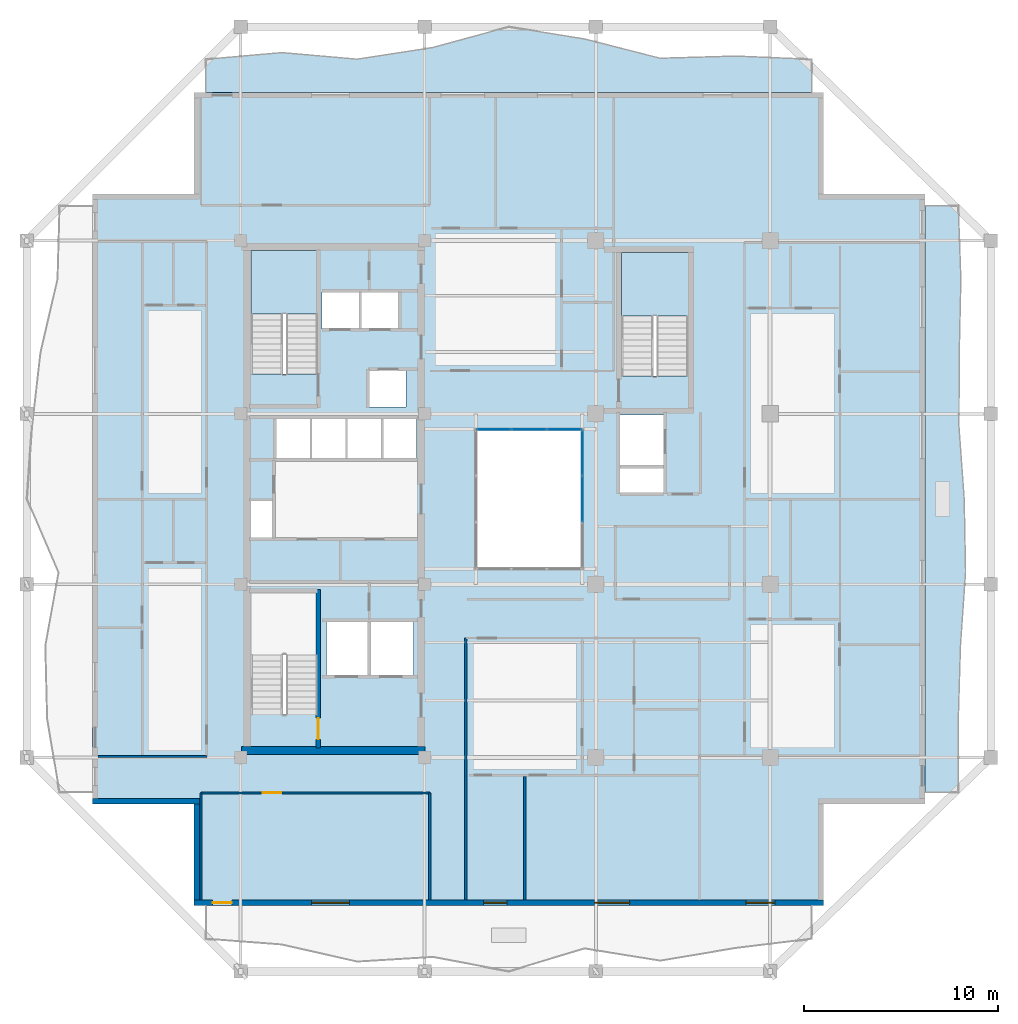
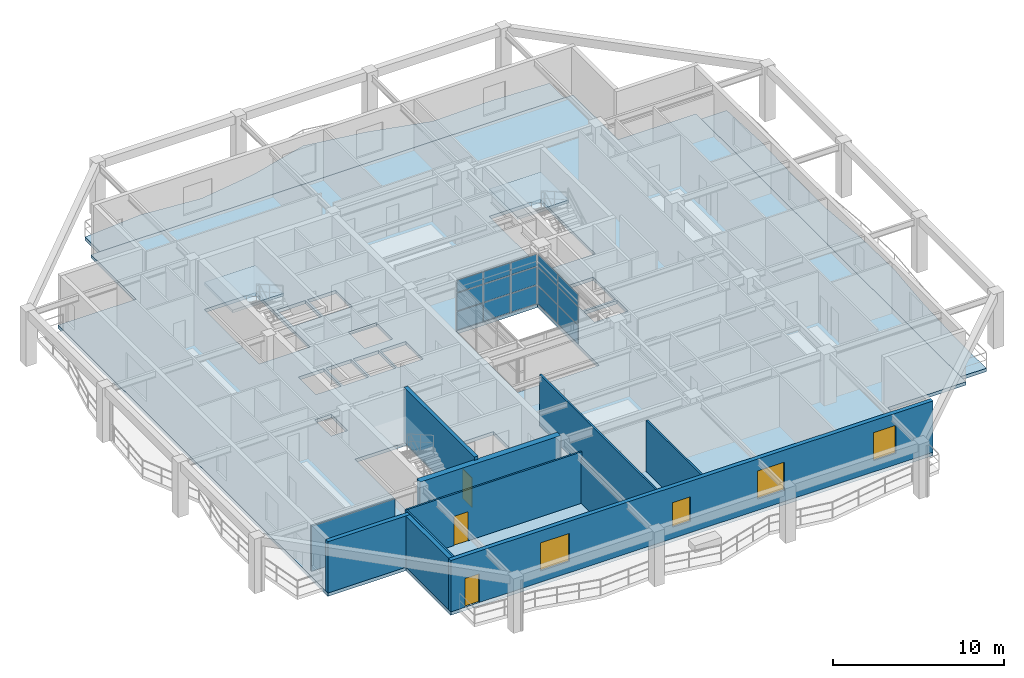
# One storey, part 5 of 15: 15 plates, 11 walls, 5 slabs, 4 windows, 3 doors, 7 openings, 4 elements without a shape of their own.
"""IFC4 building model written with IfcOpenShell, lengths in metres."""

from ifc_helpers import new_model, si_unit, direction, frame, frame_2d, origin, origin_2d, place, context, subcontext, project, spatial, polyline, rectangle, outline, extrude, material, layer, layer_set, type_object, element, fill, aggregate, save


model = new_model("IFC4")

# Units and contexts
model_context = context("Model", 3, precision=1e-05, world=origin(), true_north=direction((0.0, 1.0)))
body_context = subcontext(model_context, "Body", "Model", "MODEL_VIEW")
ifc_project = project(units=[si_unit("LENGTHUNIT", "METRE"), si_unit("AREAUNIT", "SQUARE_METRE"), si_unit("VOLUMEUNIT", "CUBIC_METRE"), si_unit("PLANEANGLEUNIT", "RADIAN"), si_unit("MASSUNIT", "GRAM", prefix="KILO")], contexts=[model_context])

# Site, building, storey
site_placement = place(None, origin())
site = spatial("IfcSite", under=ifc_project, at=site_placement, CompositionType="ELEMENT")
building_placement = place(site_placement, origin())
building = spatial("IfcBuilding", under=site, at=building_placement, Name="Kundavana Baori Tower", CompositionType="ELEMENT")
storey_placement = place(building_placement, frame((0.0, 0.0, 214.10009765625)))
storey = spatial("IfcBuildingStorey", under=building, at=storey_placement, Name="L52", CompositionType="ELEMENT", Elevation=214.10009765625)

# Curtain wall, plates
ifc_material_1 = material(Name="Thermally Broken Anodised Aluminium Framing", Category="aluminium")
ifc_layer_1 = layer(ifc_material_1, 0.219970703125, Name="CW-SYS-5")
ifc_layer_set_1 = layer_set([ifc_layer_1], Name="Thermally Broken Anodised Aluminium Framing")
curtain_wall_type = type_object("IfcCurtainWallType", Name="CW-SYS-5", PredefinedType="NOTDEFINED", material=ifc_layer_set_1)
curtain_wall_1_placement = place(storey_placement, origin())
curtain_wall_1 = element("IfcCurtainWall", 1, at=curtain_wall_1_placement, inside=storey, type_object=curtain_wall_type, Name="L52 Atrium Glazed Curtain Wall E", PredefinedType="NOTDEFINED")
ifc_material_2 = material(Name="Double-Glazed Solar-Control Low-E Insulated Glass", Category="glass")
ifc_layer_2 = layer(ifc_material_2, 0.028076171875, Name="CW-PNL-GLS28")
ifc_layer_set_2 = layer_set([ifc_layer_2], Name="Double-Glazed Solar-Control Low-E Insulated Glass")
plate_type = type_object("IfcPlateType", Name="CW-PNL-GLS28", PredefinedType="CURTAIN_PANEL", material=ifc_layer_set_2)
plate_1_placement = place(storey_placement, frame((33.10009765625, 28.60009765625, 0.06494140625), z_axis=(0.0, 0.0, 1.0), x_axis=(0.0, 1.0, 0.0)))
plate_1 = element("IfcPlate", 2, at=plate_1_placement, type_object=plate_type, Name="CW5 panel 2.1", PredefinedType="CURTAIN_PANEL", context=body_context, shape_type="SweptSolid", body=[
    extrude(rectangle(XDim=2.3349609375, YDim=0.028076171875, at=origin_2d()), origin(), (0.0, 0.0, 1.0), 1.293212890625),
])
plate_2_placement = place(storey_placement, frame((33.10009765625, 28.60009765625, 1.42333984375), z_axis=(0.0, 0.0, 1.0), x_axis=(0.0, 1.0, 0.0)))
plate_2 = element("IfcPlate", 3, at=plate_2_placement, type_object=plate_type, Name="CW5 panel 2.2", PredefinedType="CURTAIN_PANEL", context=body_context, shape_type="SweptSolid", body=[
    extrude(rectangle(XDim=2.3349609375, YDim=0.028076171875, at=origin_2d()), origin(), (0.0, 0.0, 1.0), 1.252685546875),
])
plate_3_placement = place(storey_placement, frame((33.10009765625, 28.60009765625, 2.740966796875), z_axis=(0.0, 0.0, 1.0), x_axis=(0.0, 1.0, 0.0)))
plate_3 = element("IfcPlate", 4, at=plate_3_placement, type_object=plate_type, Name="CW5 panel 2.3", PredefinedType="CURTAIN_PANEL", context=body_context, shape_type="SweptSolid", body=[
    extrude(rectangle(XDim=2.3349609375, YDim=0.028076171875, at=origin_2d()), origin(), (0.0, 0.0, 1.0), 0.85400390625),
])
plate_4_placement = place(storey_placement, frame((33.10009765625, 30.983642578125, 0.06494140625), z_axis=(0.0, 0.0, 1.0), x_axis=(0.0, 1.0, 0.0)))
plate_4 = element("IfcPlate", 5, at=plate_4_placement, type_object=plate_type, Name="CW5 panel 3.1", PredefinedType="CURTAIN_PANEL", context=body_context, shape_type="SweptSolid", body=[
    extrude(rectangle(XDim=2.302490234375, YDim=0.028076171875, at=origin_2d()), origin(), (0.0, 0.0, 1.0), 1.293212890625),
])
plate_5_placement = place(storey_placement, frame((33.10009765625, 30.983642578125, 1.42333984375), z_axis=(0.0, 0.0, 1.0), x_axis=(0.0, 1.0, 0.0)))
plate_5 = element("IfcPlate", 6, at=plate_5_placement, type_object=plate_type, Name="CW5 panel 3.2", PredefinedType="CURTAIN_PANEL", context=body_context, shape_type="SweptSolid", body=[
    extrude(rectangle(XDim=2.302490234375, YDim=0.028076171875, at=origin_2d()), origin(), (0.0, 0.0, 1.0), 1.252685546875),
])
plate_6_placement = place(storey_placement, frame((33.10009765625, 30.983642578125, 2.740966796875), z_axis=(0.0, 0.0, 1.0), x_axis=(0.0, 1.0, 0.0)))
plate_6 = element("IfcPlate", 7, at=plate_6_placement, type_object=plate_type, Name="CW5 panel 3.3", PredefinedType="CURTAIN_PANEL", context=body_context, shape_type="SweptSolid", body=[
    extrude(rectangle(XDim=2.302490234375, YDim=0.028076171875, at=origin_2d()), origin(), (0.0, 0.0, 1.0), 0.85400390625),
])
aggregate(curtain_wall_1, [plate_1, plate_2, plate_3, plate_4, plate_5, plate_6])

curtain_wall_2_placement = place(storey_placement, origin())
curtain_wall_2 = element("IfcCurtainWall", 8, at=curtain_wall_2_placement, inside=storey, type_object=curtain_wall_type, Name="L52 Atrium Glazed Curtain Wall N", PredefinedType="NOTDEFINED")
plate_7_placement = place(storey_placement, frame((32.1669921875, 32.199951171875, 0.06494140625), z_axis=(0.0, 0.0, 1.0), x_axis=(-1.0, 0.0, 0.0)))
plate_7 = element("IfcPlate", 9, at=plate_7_placement, type_object=plate_type, Name="CW5 panel 1.1", PredefinedType="CURTAIN_PANEL", context=body_context, shape_type="SweptSolid", body=[
    extrude(rectangle(XDim=1.73583984375, YDim=0.028076171875, at=origin_2d()), origin(), (0.0, 0.0, 1.0), 1.293212890625),
])
plate_8_placement = place(storey_placement, frame((32.1669921875, 32.199951171875, 1.42333984375), z_axis=(0.0, 0.0, 1.0), x_axis=(-1.0, 0.0, 0.0)))
plate_8 = element("IfcPlate", 10, at=plate_8_placement, type_object=plate_type, Name="CW5 panel 1.2", PredefinedType="CURTAIN_PANEL", context=body_context, shape_type="SweptSolid", body=[
    extrude(rectangle(XDim=1.73583984375, YDim=0.028076171875, at=origin_2d()), origin(), (0.0, 0.0, 1.0), 1.252685546875),
])
plate_9_placement = place(storey_placement, frame((32.1669921875, 32.199951171875, 2.740966796875), z_axis=(0.0, 0.0, 1.0), x_axis=(-1.0, 0.0, 0.0)))
plate_9 = element("IfcPlate", 11, at=plate_9_placement, type_object=plate_type, Name="CW5 panel 1.3", PredefinedType="CURTAIN_PANEL", context=body_context, shape_type="SweptSolid", body=[
    extrude(rectangle(XDim=1.73583984375, YDim=0.028076171875, at=origin_2d()), origin(), (0.0, 0.0, 1.0), 0.85400390625),
])
plate_10_placement = place(storey_placement, frame((30.35009765625, 32.199951171875, 0.06494140625), z_axis=(0.0, 0.0, 1.0), x_axis=(-1.0, 0.0, 0.0)))
plate_10 = element("IfcPlate", 12, at=plate_10_placement, type_object=plate_type, Name="CW5 panel 2.1", PredefinedType="CURTAIN_PANEL", context=body_context, shape_type="SweptSolid", body=[
    extrude(rectangle(XDim=1.768310546875, YDim=0.028076171875, at=origin_2d()), origin(), (0.0, 0.0, 1.0), 1.293212890625),
])
plate_11_placement = place(storey_placement, frame((30.35009765625, 32.199951171875, 1.42333984375), z_axis=(0.0, 0.0, 1.0), x_axis=(-1.0, 0.0, 0.0)))
plate_11 = element("IfcPlate", 13, at=plate_11_placement, type_object=plate_type, Name="CW5 panel 2.2", PredefinedType="CURTAIN_PANEL", context=body_context, shape_type="SweptSolid", body=[
    extrude(rectangle(XDim=1.768310546875, YDim=0.028076171875, at=origin_2d()), origin(), (0.0, 0.0, 1.0), 1.252685546875),
])
plate_12_placement = place(storey_placement, frame((30.35009765625, 32.199951171875, 2.740966796875), z_axis=(0.0, 0.0, 1.0), x_axis=(-1.0, 0.0, 0.0)))
plate_12 = element("IfcPlate", 14, at=plate_12_placement, type_object=plate_type, Name="CW5 panel 2.3", PredefinedType="CURTAIN_PANEL", context=body_context, shape_type="SweptSolid", body=[
    extrude(rectangle(XDim=1.768310546875, YDim=0.028076171875, at=origin_2d()), origin(), (0.0, 0.0, 1.0), 0.85400390625),
])
plate_13_placement = place(storey_placement, frame((28.532958984375, 32.199951171875, 0.06494140625), z_axis=(0.0, 0.0, 1.0), x_axis=(-1.0, 0.0, 0.0)))
plate_13 = element("IfcPlate", 15, at=plate_13_placement, type_object=plate_type, Name="CW5 panel 3.1", PredefinedType="CURTAIN_PANEL", context=body_context, shape_type="SweptSolid", body=[
    extrude(rectangle(XDim=1.73583984375, YDim=0.028076171875, at=origin_2d()), origin(), (0.0, 0.0, 1.0), 1.293212890625),
])
plate_14_placement = place(storey_placement, frame((28.532958984375, 32.199951171875, 1.42333984375), z_axis=(0.0, 0.0, 1.0), x_axis=(-1.0, 0.0, 0.0)))
plate_14 = element("IfcPlate", 16, at=plate_14_placement, type_object=plate_type, Name="CW5 panel 3.2", PredefinedType="CURTAIN_PANEL", context=body_context, shape_type="SweptSolid", body=[
    extrude(rectangle(XDim=1.73583984375, YDim=0.028076171875, at=origin_2d()), origin(), (0.0, 0.0, 1.0), 1.252685546875),
])
plate_15_placement = place(storey_placement, frame((28.532958984375, 32.199951171875, 2.740966796875), z_axis=(0.0, 0.0, 1.0), x_axis=(-1.0, 0.0, 0.0)))
plate_15 = element("IfcPlate", 17, at=plate_15_placement, type_object=plate_type, Name="CW5 panel 3.3", PredefinedType="CURTAIN_PANEL", context=body_context, shape_type="SweptSolid", body=[
    extrude(rectangle(XDim=1.73583984375, YDim=0.028076171875, at=origin_2d()), origin(), (0.0, 0.0, 1.0), 0.85400390625),
])
aggregate(curtain_wall_2, [plate_7, plate_8, plate_9, plate_10, plate_11, plate_12, plate_13, plate_14, plate_15])

# Slab
ifc_material_3 = material(Name="Concrete C40/50", Category="concrete")
ifc_layer_3 = layer(ifc_material_3, 0.239990234375, Name="SLB-FLR-240")
ifc_layer_set_3 = layer_set([ifc_layer_3], Name="Concrete C40/50")
slab_type_1 = type_object("IfcSlabType", Name="SLB-FLR-240", PredefinedType="FLOOR", material=ifc_layer_set_3)
slab_1_placement = place(storey_placement, frame((0.0, 0.0, -0.239990234375)))
element("IfcSlab", 18, at=slab_1_placement, inside=storey, type_object=slab_type_1, Name="L52 Structural Floor Slab", PredefinedType="FLOOR", context=body_context, shape_type="SweptSolid", body=[
    extrude(outline(polyline([(13.050048828125, 7.60009765625), (45.550048828125, 7.60009765625), (45.550048828125, 12.85009765625), (50.800048828125, 12.85009765625), (50.800048828125, 44.35009765625), (45.550048828125, 44.35009765625), (45.550048828125, 49.60009765625), (13.050048828125, 49.60009765625), (13.050048828125, 44.35009765625), (7.800048828125, 44.35009765625), (7.800048828125, 12.85009765625), (13.050048828125, 12.85009765625), (13.050048828125, 7.60009765625)]), holes=[polyline([(19.43994140625, 17.4619140625), (19.43994140625, 23.85009765625), (15.97998046875, 23.85009765625), (15.97998046875, 17.4619140625), (19.43994140625, 17.4619140625)]), polyline([(19.43994140625, 35.06201171875), (19.43994140625, 41.449951171875), (15.97998046875, 41.449951171875), (15.97998046875, 35.06201171875), (19.43994140625, 35.06201171875)]), polyline([(38.580078125, 34.9619140625), (38.580078125, 41.35009765625), (35.1201171875, 41.35009765625), (35.1201171875, 34.9619140625), (38.580078125, 34.9619140625)]), polyline([(17.300048828125, 30.699951171875), (19.02001953125, 30.699951171875), (19.02001953125, 32.75), (17.300048828125, 32.75), (17.300048828125, 30.699951171875)]), polyline([(19.139892578125, 30.699951171875), (20.860107421875, 30.699951171875), (20.860107421875, 32.75), (19.139892578125, 32.75), (19.139892578125, 30.699951171875)]), polyline([(20.97998046875, 30.699951171875), (22.699951171875, 30.699951171875), (22.699951171875, 32.75), (20.97998046875, 32.75), (20.97998046875, 30.699951171875)]), polyline([(22.820068359375, 30.699951171875), (24.5400390625, 30.699951171875), (24.5400390625, 32.75), (22.820068359375, 32.75), (22.820068359375, 30.699951171875)]), polyline([(19.64990234375, 37.39990234375), (21.550048828125, 37.39990234375), (21.550048828125, 39.300048828125), (19.64990234375, 39.300048828125), (19.64990234375, 37.39990234375)]), polyline([(21.699951171875, 37.39990234375), (23.60009765625, 37.39990234375), (23.60009765625, 39.300048828125), (21.699951171875, 39.300048828125), (21.699951171875, 37.39990234375)]), polyline([(22.10009765625, 33.35009765625), (24.0, 33.35009765625), (24.0, 35.25), (22.10009765625, 35.25), (22.10009765625, 33.35009765625)]), polyline([(19.8798828125, 19.5), (22.02001953125, 19.5), (22.02001953125, 22.25), (19.8798828125, 22.25), (19.8798828125, 19.5)]), polyline([(22.179931640625, 19.5), (24.3798828125, 19.5), (24.3798828125, 22.25), (22.179931640625, 22.25), (22.179931640625, 19.5)]), polyline([(35.050048828125, 30.35009765625), (37.300048828125, 30.35009765625), (37.300048828125, 32.949951171875), (35.050048828125, 32.949951171875), (35.050048828125, 30.35009765625)]), polyline([(15.949951171875, 26.60009765625), (17.080078125, 26.60009765625), (17.080078125, 28.5), (15.949951171875, 28.5), (15.949951171875, 26.60009765625)]), polyline([(35.050048828125, 28.949951171875), (37.300048828125, 28.949951171875), (37.300048828125, 30.199951171875), (35.050048828125, 30.199951171875), (35.050048828125, 28.949951171875)]), polyline([(27.60009765625, 25.0), (33.10009765625, 25.0), (33.10009765625, 32.199951171875), (27.60009765625, 32.199951171875), (27.60009765625, 25.0)])]), origin(), (0.0, 0.0, 1.0), 0.239990234375),
])

# Stair, slab
ifc_material_4 = material(Name="Concrete C40/50", Category="concrete")
stair_type = type_object("IfcStairType", Name="STR-DOG-1650", PredefinedType="HALF_TURN_STAIR", material=ifc_material_4)
stair_1_placement = place(storey_placement, origin())
stair_1 = element("IfcStair", 19, at=stair_1_placement, inside=storey, type_object=stair_type, Name="L52 Protected Exit Stair ST2", PredefinedType="HALF_TURN_STAIR")
ifc_material_5 = material(Name="Concrete C40/50", Category="concrete")
ifc_layer_4 = layer(ifc_material_5, 0.199951171875, Name="SLB-LND-200")
ifc_layer_set_4 = layer_set([ifc_layer_4], Name="Concrete C40/50")
slab_type_2 = type_object("IfcSlabType", Name="SLB-LND-200", PredefinedType="LANDING", material=ifc_layer_set_4)
slab_2_placement = place(storey_placement, frame((0.0, 0.0, 1.75)))
slab_2 = element("IfcSlab", 20, at=slab_2_placement, type_object=slab_type_2, Name="ST2 landing 1", PredefinedType="LANDING", context=body_context, shape_type="SweptSolid", body=[
    extrude(outline(polyline([(19.43994140625, 38.14990234375), (19.43994140625, 41.449951171875), (15.97998046875, 41.449951171875), (15.97998046875, 38.14990234375), (19.43994140625, 38.14990234375)])), origin(), (0.0, 0.0, 1.0), 0.199951171875),
])
aggregate(stair_1, [slab_2])

stair_2_placement = place(storey_placement, origin())
stair_2 = element("IfcStair", 21, at=stair_2_placement, inside=storey, type_object=stair_type, Name="L52 Protected Exit Stair ST3", PredefinedType="HALF_TURN_STAIR")
slab_3_placement = place(storey_placement, frame((0.0, 0.0, 1.75)))
slab_3 = element("IfcSlab", 22, at=slab_3_placement, type_object=slab_type_2, Name="ST3 landing 1", PredefinedType="LANDING", context=body_context, shape_type="SweptSolid", body=[
    extrude(outline(polyline([(38.580078125, 38.050048828125), (38.580078125, 41.35009765625), (35.1201171875, 41.35009765625), (35.1201171875, 38.050048828125), (38.580078125, 38.050048828125)])), origin(), (0.0, 0.0, 1.0), 0.199951171875),
])
aggregate(stair_2, [slab_3])

# Slabs
ifc_material_6 = material(Name="Concrete C40/50", Category="concrete")
ifc_layer_5 = layer(ifc_material_6, 0.239990234375, Name="SLB-LOG-240")
ifc_layer_set_5 = layer_set([ifc_layer_5], Name="Concrete C40/50")
slab_type_3 = type_object("IfcSlabType", Name="SLB-LOG-240", PredefinedType="FLOOR", material=ifc_layer_set_5)
slab_4_placement = place(storey_placement, frame((0.0, 0.0, -0.239990234375)))
element("IfcSlab", 23, at=slab_4_placement, inside=storey, type_object=slab_type_3, Name="L52 Planted Loggia Balcony Slab E", PredefinedType="FLOOR", context=body_context, shape_type="SweptSolid", body=[
    extrude(outline(polyline([(50.800048828125, 13.449951171875), (50.800048828125, 43.75), (52.52001953125, 43.75), (52.654052734375, 39.9619140625), (52.571044921875, 36.175048828125), (52.553955078125, 32.387939453125), (52.826904296875, 28.60009765625), (52.89599609375, 24.81201171875), (52.633056640625, 21.02490234375), (52.52099609375, 17.238037109375), (52.52001953125, 13.449951171875), (50.800048828125, 13.449951171875)])), origin(), (0.0, 0.0, 1.0), 0.239990234375),
])
slab_5_placement = place(storey_placement, frame((0.0, 0.0, -0.239990234375)))
element("IfcSlab", 24, at=slab_5_placement, inside=storey, type_object=slab_type_3, Name="L52 Planted Loggia Balcony Slab N", PredefinedType="FLOOR", context=body_context, shape_type="SweptSolid", body=[
    extrude(outline(polyline([(44.949951171875, 49.60009765625), (13.64990234375, 49.60009765625), (13.64990234375, 51.320068359375), (17.56201171875, 51.6650390625), (21.47509765625, 51.325927734375), (25.387939453125, 51.929931640625), (29.300048828125, 53.0), (33.212890625, 52.368896484375), (37.125, 51.3740234375), (41.0380859375, 51.487060546875), (44.949951171875, 51.320068359375), (44.949951171875, 49.60009765625)])), origin(), (0.0, 0.0, 1.0), 0.239990234375),
])

# Wall
ifc_material_7 = material(Name="Concrete C50/60", Category="concrete")
ifc_layer_6 = layer(ifc_material_7, 0.39990234375, Name="WL-CORE-400")
ifc_layer_set_6 = layer_set([ifc_layer_6], Name="Concrete C50/60")
wall_type_1 = type_object("IfcWallType", Name="WL-CORE-400", PredefinedType="SHEAR", material=ifc_layer_set_6)
wall_1_placement = place(storey_placement, frame((15.5, 15.610107421875, 0.0), z_axis=(0.0, 0.0, 1.0), x_axis=(1.0, 0.0, 0.0)))
element("IfcWall", 25, at=wall_1_placement, inside=storey, type_object=wall_type_1, Name="L52 Offset Core South Shear Wall", PredefinedType="SHEAR", context=body_context, shape_type="SweptSolid", body=[
    extrude(rectangle(XDim=9.47998046875, YDim=0.39990234375, at=frame_2d((4.739990234375, 0.0))), origin(), (0.0, 0.0, 1.0), 3.659912109375),
])

# Wall, opening, door
wall_2_placement = place(storey_placement, frame((19.4599609375, 15.739990234375, 0.0), z_axis=(0.0, 0.0, 1.0), x_axis=(0.0, 1.0, 0.0)))
wall_2 = element("IfcWall", 26, at=wall_2_placement, inside=storey, type_object=wall_type_1, Name="WL-L52-ST1-E", PredefinedType="SHEAR", context=body_context, shape_type="SweptSolid", body=[
    extrude(rectangle(XDim=8.199951171875, YDim=0.239990234375, at=frame_2d((4.10009765625, 0.0))), origin(), (0.0, 0.0, 1.0), 3.89990234375),
])
opening_1_placement = place(wall_2_placement, frame((0.449951171875, 0.0, 0.0)))
opening_1 = element("IfcOpeningElement", 27, at=opening_1_placement, cuts=wall_2, Name="Opening FD-110", PredefinedType="OPENING", context=body_context, shape_type="SweptSolid", body=[
    extrude(rectangle(XDim=1.10009765625, YDim=2.10009765625, at=frame_2d((0.550048828125, 1.050048828125))), frame((0.0, 0.1298828125, 0.0), z_axis=(0.0, -1.0, 0.0), x_axis=(1.0, 0.0, 0.0)), (0.0, 0.0, 1.0), 0.260009765625),
])
ifc_material_8 = material(Name="Galvanised Steel Fire-Rated Door Leaf", Category="steel")
door_type_1 = type_object("IfcDoorType", Name="DR-FD120-1100", OperationType="NOTDEFINED", PredefinedType="DOOR", material=ifc_material_8)
door_1_placement = place(opening_1_placement, origin())
door_1 = element("IfcDoor", 28, at=door_1_placement, inside=storey, type_object=door_type_1, Name="DR-L52-ST1", OperationType="SINGLE_SWING_LEFT", OverallHeight=2.10009765625, OverallWidth=1.10009765625, PredefinedType="DOOR", context=body_context, shape_type="SweptSolid", body=[
    extrude(rectangle(XDim=1.10009765625, YDim=2.10009765625, at=frame_2d((0.550048828125, 1.050048828125))), frame((0.0, 0.02490234375, 0.0), z_axis=(0.0, -1.0, 0.0), x_axis=(1.0, 0.0, 0.0)), (0.0, 0.0, 1.0), 0.050048828125),
])
fill(opening_1, door_1)

# Wall, openings, door, windows
ifc_material_9 = material(Name="Red-Buff Dholpur Sandstone Cladding on Concrete C40/50", Category="masonry")
ifc_layer_7 = layer(ifc_material_9, 0.280029296875, Name="WL-EXT-SAND-280")
ifc_layer_set_7 = layer_set([ifc_layer_7], Name="Red-Buff Dholpur Sandstone Cladding on Concrete C40/50")
wall_type_2 = type_object("IfcWallType", Name="WL-EXT-SAND-280", PredefinedType="STANDARD", material=ifc_layer_set_7)
wall_3_placement = place(storey_placement, frame((13.050048828125, 7.739990234375, 0.0), z_axis=(0.0, 0.0, 1.0), x_axis=(1.0, 0.0, 0.0)))
wall_3 = element("IfcWall", 29, at=wall_3_placement, inside=storey, type_object=wall_type_2, Name="L52 Exterior Insulated Facade Wall 01", PredefinedType="STANDARD", context=body_context, shape_type="SweptSolid", body=[
    extrude(rectangle(XDim=32.5, YDim=0.280029296875, at=frame_2d((16.25, 0.0))), origin(), (0.0, 0.0, 1.0), 3.659912109375),
])
opening_2_placement = place(wall_3_placement, frame((0.949951171875, 0.0, 0.0)))
opening_2 = element("IfcOpeningElement", 30, at=opening_2_placement, cuts=wall_3, Name="Opening BD-1", PredefinedType="OPENING", context=body_context, shape_type="SweptSolid", body=[
    extrude(rectangle(XDim=1.0, YDim=2.050048828125, at=frame_2d((0.5, 1.02490234375))), frame((0.0, 0.14990234375, 0.0), z_axis=(0.0, -1.0, 0.0), x_axis=(1.0, 0.0, 0.0)), (0.0, 0.0, 1.0), 0.300048828125),
])
opening_3_placement = place(wall_3_placement, frame((6.06005859375, 0.0, 0.800048828125)))
opening_3 = element("IfcOpeningElement", 31, at=opening_3_placement, cuts=wall_3, Name="Opening W-09", PredefinedType="OPENING", context=body_context, shape_type="SweptSolid", body=[
    extrude(rectangle(XDim=1.949951171875, YDim=2.0, at=frame_2d((0.97509765625, 1.0))), frame((0.0, 0.14990234375, 0.0), z_axis=(0.0, -1.0, 0.0), x_axis=(1.0, 0.0, 0.0)), (0.0, 0.0, 1.0), 0.300048828125),
])
opening_4_placement = place(wall_3_placement, frame((14.951904296875, 0.0, 0.800048828125)))
opening_4 = element("IfcOpeningElement", 32, at=opening_4_placement, cuts=wall_3, Name="Opening W-03", PredefinedType="OPENING", context=body_context, shape_type="SweptSolid", body=[
    extrude(rectangle(XDim=1.199951171875, YDim=1.75, at=frame_2d((0.60009765625, 0.875))), frame((0.0, 0.14990234375, 0.0), z_axis=(0.0, -1.0, 0.0), x_axis=(1.0, 0.0, 0.0)), (0.0, 0.0, 1.0), 0.300048828125),
])
opening_5_placement = place(wall_3_placement, frame((20.68798828125, 0.0, 0.800048828125)))
opening_5 = element("IfcOpeningElement", 33, at=opening_5_placement, cuts=wall_3, Name="Opening W-01", PredefinedType="OPENING", context=body_context, shape_type="SweptSolid", body=[
    extrude(rectangle(XDim=1.800048828125, YDim=2.0, at=frame_2d((0.89990234375, 1.0))), frame((0.0, 0.14990234375, 0.0), z_axis=(0.0, -1.0, 0.0), x_axis=(1.0, 0.0, 0.0)), (0.0, 0.0, 1.0), 0.300048828125),
])
opening_6_placement = place(wall_3_placement, frame((28.4951171875, 0.0, 0.800048828125)))
opening_6 = element("IfcOpeningElement", 34, at=opening_6_placement, cuts=wall_3, Name="Opening W-02", PredefinedType="OPENING", context=body_context, shape_type="SweptSolid", body=[
    extrude(rectangle(XDim=1.5, YDim=2.0, at=frame_2d((0.75, 1.0))), frame((0.0, 0.14990234375, 0.0), z_axis=(0.0, -1.0, 0.0), x_axis=(1.0, 0.0, 0.0)), (0.0, 0.0, 1.0), 0.300048828125),
])
ifc_material_10 = material(Name="Architectural Patinated Bronze Metalwork")
door_type_2 = type_object("IfcDoorType", Name="DR-EXT-LOG-1000", OperationType="NOTDEFINED", PredefinedType="DOOR", material=ifc_material_10)
door_2_placement = place(opening_2_placement, frame((1.0, 0.0, 0.0), z_axis=(0.0, 0.0, 1.0), x_axis=(-1.0, 0.0, 0.0)))
door_2 = element("IfcDoor", 35, at=door_2_placement, inside=storey, type_object=door_type_2, Name="L52 Loggia Balcony Access Door S", OperationType="SINGLE_SWING_LEFT", OverallHeight=2.050048828125, OverallWidth=1.0, PredefinedType="DOOR", context=body_context, shape_type="SweptSolid", body=[
    extrude(rectangle(XDim=1.0, YDim=2.050048828125, at=frame_2d((0.5, 1.02490234375))), frame((0.0, 0.02490234375, 0.0), z_axis=(0.0, -1.0, 0.0), x_axis=(1.0, 0.0, 0.0)), (0.0, 0.0, 1.0), 0.050048828125),
])
fill(opening_2, door_2)
ifc_material_11 = material(Name="Double-Glazed Solar-Control Low-E Insulated Glass", Category="glass")
window_type_1 = type_object("IfcWindowType", Name="WIN-LOG-1200x1750", PartitioningType="SINGLE_PANEL", PredefinedType="WINDOW", material=ifc_material_11)
window_1_placement = place(opening_4_placement, origin())
window_1 = element("IfcWindow", 36, at=window_1_placement, inside=storey, type_object=window_type_1, Name="L52 Recessed Loggia Window S-2", OverallHeight=1.75, OverallWidth=1.199951171875, PartitioningType="SINGLE_PANEL", PredefinedType="WINDOW", context=body_context, shape_type="SweptSolid", body=[
    extrude(rectangle(XDim=1.199951171875, YDim=1.75, at=frame_2d((0.60009765625, 0.875))), frame((0.0, 0.030029296875, 0.0), z_axis=(0.0, -1.0, 0.0), x_axis=(1.0, 0.0, 0.0)), (0.0, 0.0, 1.0), 0.06005859375),
])
fill(opening_4, window_1)
ifc_material_12 = material(Name="Double-Glazed Solar-Control Low-E Insulated Glass", Category="glass")
window_type_2 = type_object("IfcWindowType", Name="WIN-LOG-1500x2000", PartitioningType="SINGLE_PANEL", PredefinedType="WINDOW", material=ifc_material_12)
window_2_placement = place(opening_6_placement, origin())
window_2 = element("IfcWindow", 37, at=window_2_placement, inside=storey, type_object=window_type_2, Name="L52 Recessed Loggia Window S-4", OverallHeight=2.0, OverallWidth=1.5, PartitioningType="SINGLE_PANEL", PredefinedType="WINDOW", context=body_context, shape_type="SweptSolid", body=[
    extrude(rectangle(XDim=1.5, YDim=2.0, at=frame_2d((0.75, 1.0))), frame((0.0, 0.030029296875, 0.0), z_axis=(0.0, -1.0, 0.0), x_axis=(1.0, 0.0, 0.0)), (0.0, 0.0, 1.0), 0.06005859375),
])
fill(opening_6, window_2)
ifc_material_13 = material(Name="Double-Glazed Solar-Control Low-E Insulated Glass", Category="glass")
window_type_3 = type_object("IfcWindowType", Name="WIN-LOG-1800x2000", PartitioningType="SINGLE_PANEL", PredefinedType="WINDOW", material=ifc_material_13)
window_3_placement = place(opening_5_placement, origin())
window_3 = element("IfcWindow", 38, at=window_3_placement, inside=storey, type_object=window_type_3, Name="L52 Recessed Loggia Window S-3", OverallHeight=2.0, OverallWidth=1.800048828125, PartitioningType="SINGLE_PANEL", PredefinedType="WINDOW", context=body_context, shape_type="SweptSolid", body=[
    extrude(rectangle(XDim=1.800048828125, YDim=2.0, at=frame_2d((0.89990234375, 1.0))), frame((0.0, 0.030029296875, 0.0), z_axis=(0.0, -1.0, 0.0), x_axis=(1.0, 0.0, 0.0)), (0.0, 0.0, 1.0), 0.06005859375),
])
fill(opening_5, window_3)
ifc_material_14 = material(Name="Double-Glazed Solar-Control Low-E Insulated Glass", Category="glass")
window_type_4 = type_object("IfcWindowType", Name="WIN-LOG-1950x2000", PartitioningType="SINGLE_PANEL", PredefinedType="WINDOW", material=ifc_material_14)
window_4_placement = place(opening_3_placement, origin())
window_4 = element("IfcWindow", 39, at=window_4_placement, inside=storey, type_object=window_type_4, Name="L52 Recessed Loggia Window S-1", OverallHeight=2.0, OverallWidth=1.949951171875, PartitioningType="SINGLE_PANEL", PredefinedType="WINDOW", context=body_context, shape_type="SweptSolid", body=[
    extrude(rectangle(XDim=1.949951171875, YDim=2.0, at=frame_2d((0.97509765625, 1.0))), frame((0.0, 0.030029296875, 0.0), z_axis=(0.0, -1.0, 0.0), x_axis=(1.0, 0.0, 0.0)), (0.0, 0.0, 1.0), 0.06005859375),
])
fill(opening_3, window_4)

# Walls
wall_4_placement = place(storey_placement, frame((7.800048828125, 12.989990234375, 0.0), z_axis=(0.0, 0.0, 1.0), x_axis=(1.0, 0.0, 0.0)))
element("IfcWall", 40, at=wall_4_placement, inside=storey, type_object=wall_type_2, Name="L52 Exterior Insulated Facade Wall 11", PredefinedType="STANDARD", context=body_context, shape_type="SweptSolid", body=[
    extrude(rectangle(XDim=5.530029296875, YDim=0.280029296875, at=frame_2d((2.76513671875, 0.0))), origin(), (0.0, 0.0, 1.0), 3.659912109375),
])
wall_5_placement = place(storey_placement, frame((13.18994140625, 12.85009765625, 0.0), z_axis=(0.0, 0.0, 1.0), x_axis=(0.0, -1.0, 0.0)))
element("IfcWall", 41, at=wall_5_placement, inside=storey, type_object=wall_type_2, Name="L52 Exterior Insulated Facade Wall 12", PredefinedType="STANDARD", context=body_context, shape_type="SweptSolid", body=[
    extrude(rectangle(XDim=4.97021484375, YDim=0.280029296875, at=frame_2d((2.485107421875, 0.0))), origin(), (0.0, 0.0, 1.0), 3.659912109375),
])
ifc_material_15 = material(Name="Acoustic Gypsum Plasterboard on Galvanised Steel Studs", Category="steel")
ifc_layer_8 = layer(ifc_material_15, 0.1201171875, Name="WL-PART-120")
ifc_layer_set_8 = layer_set([ifc_layer_8], Name="Acoustic Gypsum Plasterboard on Galvanised Steel Studs")
wall_type_3 = type_object("IfcWallType", Name="WL-PART-120", PredefinedType="PARTITIONING", material=ifc_layer_set_8)
wall_6_placement = place(storey_placement, frame((27.080078125, 7.8798828125, 0.0), z_axis=(0.0, 0.0, 1.0), x_axis=(0.0, 1.0, 0.0)))
element("IfcWall", 42, at=wall_6_placement, inside=storey, type_object=wall_type_3, Name="WL-L52-RSW", PredefinedType="PARTITIONING", context=body_context, shape_type="SweptSolid", body=[
    extrude(rectangle(XDim=13.5400390625, YDim=0.1201171875, at=frame_2d((6.77001953125, 0.0))), origin(), (0.0, 0.0, 1.0), 3.659912109375),
])

# Wall, opening, door
wall_7_placement = place(storey_placement, frame((13.39990234375, 13.419921875, 0.0), z_axis=(0.0, 0.0, 1.0), x_axis=(1.0, 0.0, 0.0)))
wall_7 = element("IfcWall", 43, at=wall_7_placement, inside=storey, type_object=wall_type_3, Name="WL-L52-RSC", PredefinedType="PARTITIONING", context=body_context, shape_type="SweptSolid", body=[
    extrude(rectangle(XDim=11.820068359375, YDim=0.1201171875, at=frame_2d((5.91015625, 0.0))), origin(), (0.0, 0.0, 1.0), 3.659912109375),
])
opening_7_placement = place(wall_7_placement, frame((3.199951171875, 0.0, 0.0)))
opening_7 = element("IfcOpeningElement", 44, at=opening_7_placement, cuts=wall_7, Name="Opening ID-095", PredefinedType="OPENING", context=body_context, shape_type="SweptSolid", body=[
    extrude(rectangle(XDim=0.949951171875, YDim=2.080078125, at=frame_2d((0.47509765625, 1.0400390625))), frame((0.0, 0.070068359375, 0.0), z_axis=(0.0, -1.0, 0.0), x_axis=(1.0, 0.0, 0.0)), (0.0, 0.0, 1.0), 0.14013671875),
])
ifc_material_16 = material(Name="Engineered Teak Solid-Core Timber Veneer", Category="wood")
door_type_3 = type_object("IfcDoorType", Name="DR-INT-950", OperationType="NOTDEFINED", PredefinedType="DOOR", material=ifc_material_16)
door_3_placement = place(opening_7_placement, frame((0.949951171875, 0.0, 0.0), z_axis=(0.0, 0.0, 1.0), x_axis=(-1.0, 0.0, 0.0)))
door_3 = element("IfcDoor", 45, at=door_3_placement, inside=storey, type_object=door_type_3, Name="DR-L52-RMSW", OperationType="SINGLE_SWING_LEFT", OverallHeight=2.080078125, OverallWidth=0.949951171875, PredefinedType="DOOR", context=body_context, shape_type="SweptSolid", body=[
    extrude(rectangle(XDim=0.949951171875, YDim=2.080078125, at=frame_2d((0.47509765625, 1.0400390625))), frame((0.0, 0.02490234375, 0.0), z_axis=(0.0, -1.0, 0.0), x_axis=(1.0, 0.0, 0.0)), (0.0, 0.0, 1.0), 0.050048828125),
])
fill(opening_7, door_3)

# Walls
wall_8_placement = place(storey_placement, frame((13.39990234375, 7.8798828125, 0.0), z_axis=(0.0, 0.0, 1.0), x_axis=(0.0, 1.0, 0.0)))
element("IfcWall", 46, at=wall_8_placement, inside=storey, type_object=wall_type_3, Name="WL-L52-RSCW", PredefinedType="PARTITIONING", context=body_context, shape_type="SweptSolid", body=[
    extrude(rectangle(XDim=5.5400390625, YDim=0.1201171875, at=frame_2d((2.77001953125, 0.0))), origin(), (0.0, 0.0, 1.0), 3.659912109375),
])
wall_9_placement = place(storey_placement, frame((25.219970703125, 7.8798828125, 0.0), z_axis=(0.0, 0.0, 1.0), x_axis=(0.0, 1.0, 0.0)))
element("IfcWall", 47, at=wall_9_placement, inside=storey, type_object=wall_type_3, Name="WL-L52-RSCE", PredefinedType="PARTITIONING", context=body_context, shape_type="SweptSolid", body=[
    extrude(rectangle(XDim=5.5400390625, YDim=0.1201171875, at=frame_2d((2.77001953125, 0.0))), origin(), (0.0, 0.0, 1.0), 3.2099609375),
])
wall_10_placement = place(storey_placement, frame((8.080078125, 15.300048828125, 0.0), z_axis=(0.0, 0.0, 1.0), x_axis=(1.0, 0.0, 0.0)))
element("IfcWall", 48, at=wall_10_placement, inside=storey, type_object=wall_type_3, Name="WL-L52-RWS", PredefinedType="PARTITIONING", context=body_context, shape_type="SweptSolid", body=[
    extrude(rectangle(XDim=5.619873046875, YDim=0.1201171875, at=frame_2d((2.81005859375, 0.0))), origin(), (0.0, 0.0, 1.0), 3.2099609375),
])
wall_11_placement = place(storey_placement, frame((30.125, 7.8798828125, 0.0), z_axis=(0.0, 0.0, 1.0), x_axis=(0.0, 1.0, 0.0)))
element("IfcWall", 49, at=wall_11_placement, inside=storey, type_object=wall_type_3, Name="WL-L52-S1-BDV", PredefinedType="PARTITIONING", context=body_context, shape_type="SweptSolid", body=[
    extrude(rectangle(XDim=6.381103515625, YDim=0.1201171875, at=frame_2d((3.1904296875, 0.0))), origin(), (0.0, 0.0, 1.0), 3.659912109375),
])

save(model, "model.ifc")
